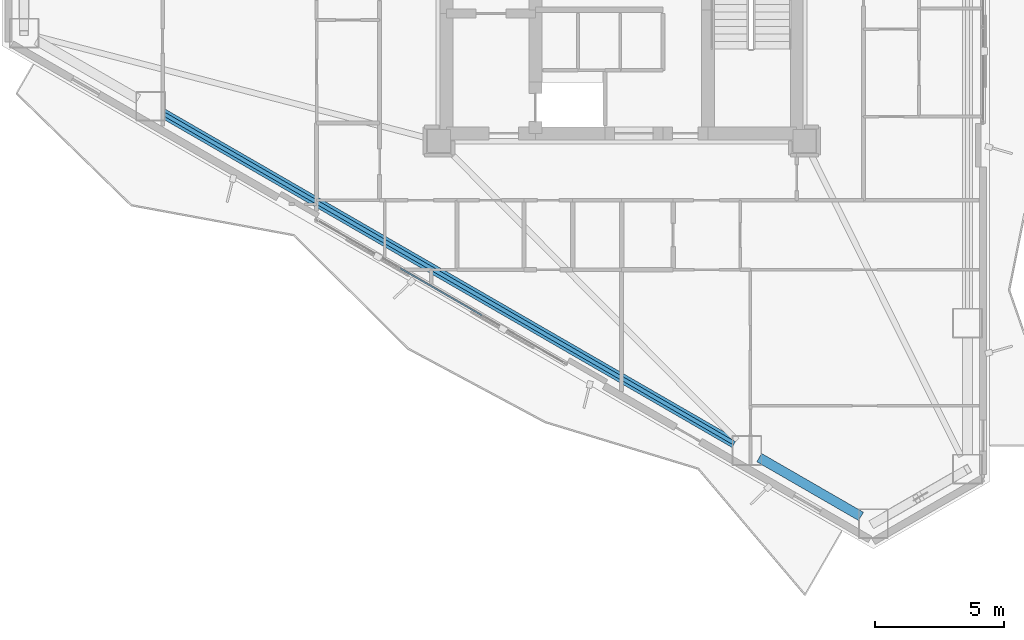
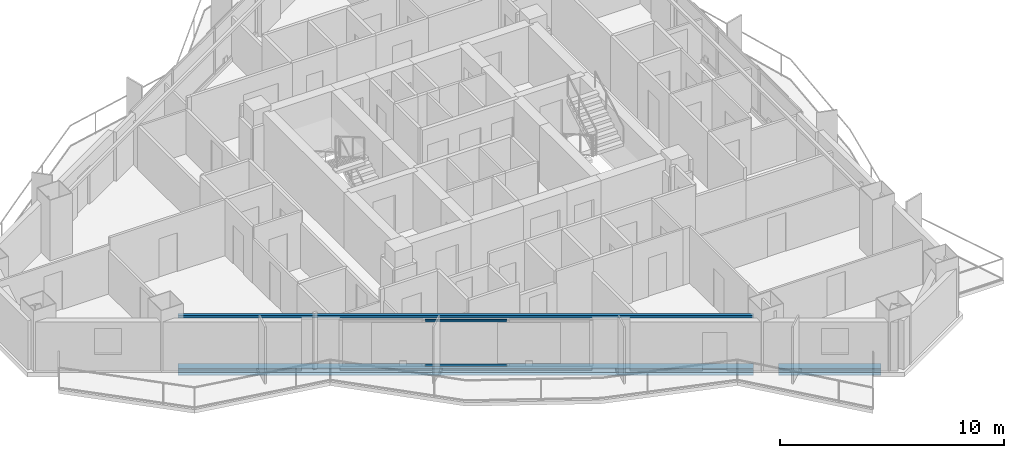
# One storey, part 3 of 23: 3 beams, 2 members, 1 element without a shape of its own.
"""IFC4 building model written with IfcOpenShell, lengths in metres."""

from ifc_helpers import new_model, si_unit, direction, frame, origin, origin_2d, place, context, subcontext, project, spatial, hollow_rectangle, i_section, extrude, material, layer, layer_set, material_profile, profile_set, type_object, element, aggregate, save


model = new_model("IFC4")

# Units and contexts
model_context = context("Model", 3, precision=1e-05, world=origin(), true_north=direction((0.0, 1.0)))
body_context = subcontext(model_context, "Body", "Model", "MODEL_VIEW")
ifc_project = project(units=[si_unit("LENGTHUNIT", "METRE"), si_unit("AREAUNIT", "SQUARE_METRE"), si_unit("VOLUMEUNIT", "CUBIC_METRE"), si_unit("PLANEANGLEUNIT", "RADIAN"), si_unit("MASSUNIT", "GRAM", prefix="KILO")], contexts=[model_context])

# Site, building, storey
site_placement = place(None, origin())
site = spatial("IfcSite", under=ifc_project, at=site_placement, CompositionType="ELEMENT")
building_placement = place(site_placement, origin())
building = spatial("IfcBuilding", under=site, at=building_placement, Name="Mersakhor Tower and Convention Hall", CompositionType="ELEMENT")
storey_placement = place(building_placement, frame((0.0, 0.0, 80.10009765625)))
storey = spatial("IfcBuildingStorey", under=building, at=storey_placement, Name="L21", CompositionType="ELEMENT", Elevation=80.10009765625)

# Beams
ifc_material_1 = material(Name="Steel S355", Category="steel")
ifc_material_profile_1 = material_profile(ifc_material_1, hollow_rectangle(XDim=0.14990234375, YDim=0.14990234375, WallThickness=0.010009765625, at=origin_2d()), Name="SHS 150x150x10")
ifc_profile_set_1 = profile_set([ifc_material_profile_1], Name="Steel S355")
beam_type_1 = type_object("IfcBeamType", Name="BM-GRT-SHS150", PredefinedType="USERDEFINED", material=ifc_profile_set_1)
beam_1_placement = place(storey_placement, frame((33.38232421875, 8.706787109375, 2.47998046875), z_axis=(-0.866022538643, 0.500004962538, 0.0), x_axis=(-0.500004962538, -0.866022538643, 0.0)))
element("IfcBeam", 1, at=beam_1_placement, inside=storey, type_object=beam_type_1, Name="L21 Facade Support Girt GRT-F3", ObjectType="GIRT", PredefinedType="USERDEFINED", context=body_context, shape_type="SweptSolid", body=[
    extrude(hollow_rectangle(XDim=0.14990234375, YDim=0.14990234375, WallThickness=0.010009765625, at=origin_2d()), origin(), (0.0, 0.0, 1.0), 25.633544921875),
])
ifc_material_2 = material(Name="Steel S355", Category="steel")
ifc_material_profile_2 = material_profile(ifc_material_2, i_section(OverallWidth=0.374755859375, OverallDepth=0.37451171875, WebThickness=0.0166015625, FlangeThickness=0.027099609375, at=origin_2d()), Name="UC 356x368x202")
ifc_profile_set_2 = profile_set([ifc_material_profile_2], Name="Steel S355")
beam_type_2 = type_object("IfcBeamType", Name="BM-SPD-UC356", PredefinedType="SPANDREL", material=ifc_profile_set_2)
beam_2_placement = place(storey_placement, frame((38.298095703125, 5.868896484375, -0.4375), z_axis=(-0.866046694585, 0.499963121439, 0.0), x_axis=(-0.499963121439, -0.866046694585, 0.0)))
element("IfcBeam", 2, at=beam_2_placement, inside=storey, type_object=beam_type_2, Name="L21 Perimeter Spandrel Beam SPB-09", PredefinedType="SPANDREL", context=body_context, shape_type="SweptSolid", body=[
    extrude(i_section(OverallWidth=0.374755859375, OverallDepth=0.37451171875, WebThickness=0.0166015625, FlangeThickness=0.027099609375, at=origin_2d()), origin(), (0.0, 0.0, 1.0), 4.566162109375),
])
beam_3_placement = place(storey_placement, frame((33.38232421875, 8.706787109375, -0.4375), z_axis=(-0.866022538643, 0.500004962538, 0.0), x_axis=(-0.500004962538, -0.866022538643, 0.0)))
element("IfcBeam", 3, at=beam_3_placement, inside=storey, type_object=beam_type_2, Name="L21 Perimeter Spandrel Beam SPB-10", PredefinedType="SPANDREL", context=body_context, shape_type="SweptSolid", body=[
    extrude(i_section(OverallWidth=0.374755859375, OverallDepth=0.37451171875, WebThickness=0.0166015625, FlangeThickness=0.027099609375, at=origin_2d()), origin(), (0.0, 0.0, 1.0), 25.633544921875),
])

# Curtain wall, members
ifc_material_3 = material(Name="Dark solar low-E aluminium curtain wall", Category="aluminium")
ifc_layer = layer(ifc_material_3, 0.159912109375)
ifc_layer_set = layer_set([ifc_layer], Name="Dark solar low-E aluminium curtain wall")
curtain_wall_type = type_object("IfcCurtainWallType", Name="CW-SYS-01", PredefinedType="USERDEFINED", material=ifc_layer_set)
curtain_wall_placement = place(storey_placement, origin())
curtain_wall = element("IfcCurtainWall", 4, at=curtain_wall_placement, inside=storey, type_object=curtain_wall_type, Name="L21 Dark-Glass Curtain Wall F3-B2", ObjectType="CURTAIN WALL", PredefinedType="USERDEFINED")
ifc_material_4 = material(Name="Anodised aluminium EN AW-6063 T6", Category="aluminium")
ifc_material_profile_3 = material_profile(ifc_material_4, hollow_rectangle(XDim=0.06005859375, YDim=0.1201171875, WallThickness=0.0048828125, at=origin_2d()), Name="RHS 120x60x5")
ifc_profile_set_3 = profile_set([ifc_material_profile_3], Name="Anodised aluminium EN AW-6063 T6")
member_type = type_object("IfcMemberType", Name="CWT-120x60", PredefinedType="USERDEFINED", material=ifc_profile_set_3)
member_1_placement = place(storey_placement, frame((23.571044921875, 13.6787109375, 0.22998046875), z_axis=(-0.866039286129, 0.499975954304, 0.0), x_axis=(-0.499975954304, -0.866039286129, 0.0)))
member_1 = element("IfcMember", 5, at=member_1_placement, type_object=member_type, Name="CW-01 transom 2.1", ObjectType="TRANSOM", PredefinedType="USERDEFINED", context=body_context, shape_type="SweptSolid", body=[
    extrude(hollow_rectangle(XDim=0.06005859375, YDim=0.1201171875, WallThickness=0.0048828125, at=origin_2d()), origin(), (0.0, 0.0, 1.0), 3.668212890625),
])
member_2_placement = place(storey_placement, frame((23.571044921875, 13.6787109375, 2.639892578125), z_axis=(-0.866039286129, 0.499975954304, 0.0), x_axis=(-0.499975954304, -0.866039286129, 0.0)))
member_2 = element("IfcMember", 6, at=member_2_placement, type_object=member_type, Name="CW-01 transom 2.2", ObjectType="TRANSOM", PredefinedType="USERDEFINED", context=body_context, shape_type="SweptSolid", body=[
    extrude(hollow_rectangle(XDim=0.06005859375, YDim=0.1201171875, WallThickness=0.0048828125, at=origin_2d()), origin(), (0.0, 0.0, 1.0), 3.668212890625),
])
aggregate(curtain_wall, [member_1, member_2])

save(model, "model.ifc")
